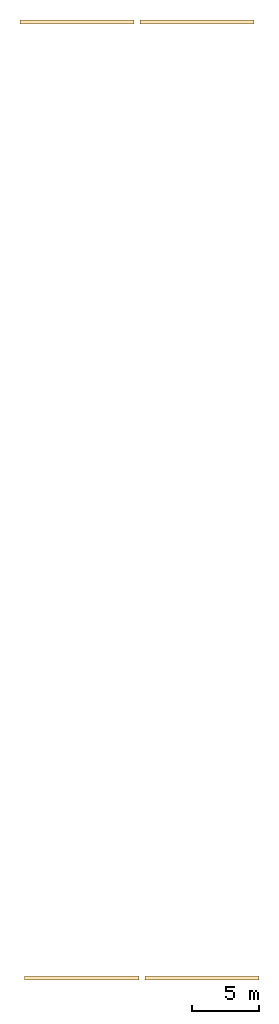
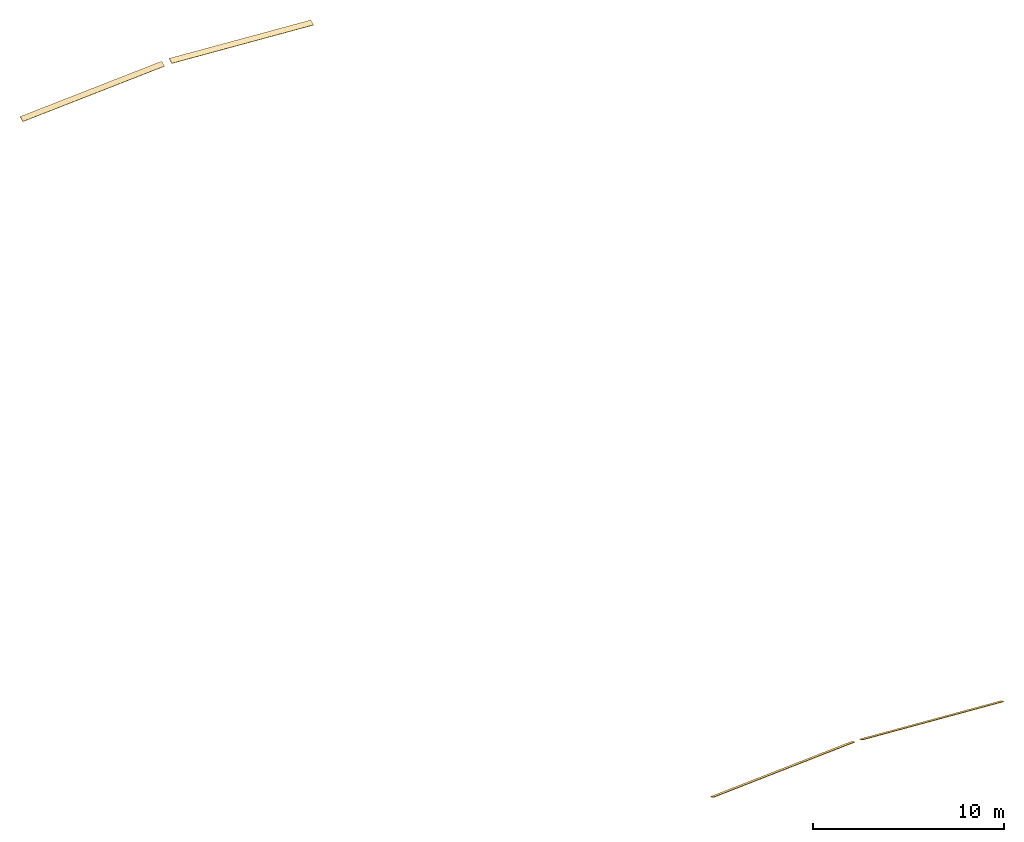
# One storey: 4 coverings.
"""IFC4 building model written with IfcOpenShell, lengths in metres."""

from ifc_helpers import new_model, si_unit, direction, frame, origin, place, context, subcontext, project, spatial, polyline, outline, extrude, material, layer, layer_set, type_object, element, save


model = new_model("IFC4")

# Units and contexts
model_context = context("Model", 3, precision=1e-05, world=origin(), true_north=direction((0.0, 1.0)))
body_context = subcontext(model_context, "Body", "Model", "MODEL_VIEW")
ifc_project = project(units=[si_unit("LENGTHUNIT", "METRE"), si_unit("AREAUNIT", "SQUARE_METRE"), si_unit("VOLUMEUNIT", "CUBIC_METRE"), si_unit("PLANEANGLEUNIT", "RADIAN"), si_unit("MASSUNIT", "GRAM", prefix="KILO")], contexts=[model_context])

# Site, building, storey
site_placement = place(None, origin())
site = spatial("IfcSite", under=ifc_project, at=site_placement, CompositionType="ELEMENT")
building_placement = place(site_placement, origin())
building = spatial("IfcBuilding", under=site, at=building_placement, Name="Opaline Strait Convention Centre", CompositionType="ELEMENT")
storey_placement = place(building_placement, frame((0.0, 0.0, 34.14404296875)))
storey = spatial("IfcBuildingStorey", under=building, at=storey_placement, Name="Roof Plenary Hall Second", CompositionType="ELEMENT", Elevation=34.14404296875)

# Coverings
ifc_material = material(Name="Standing seam aluminium edge flashing, white", Category="aluminium")
ifc_layer = layer(ifc_material, 0.030029296875)
ifc_layer_set = layer_set([ifc_layer], Name="Standing seam aluminium edge flashing, white")
covering_type = type_object("IfcCoveringType", Name="Shell edge flashing 30", PredefinedType="ROOFING", material=ifc_layer_set)
covering_1_placement = place(storey_placement, frame((31.89990234375, 112.550048828125, 0.1826171875), z_axis=(-0.057916085612, 0.405628903884, 0.91220113975), x_axis=(0.997990404478, -5.272141e-06, 0.063365231329)))
element("IfcCovering", 1, at=covering_1_placement, inside=storey, type_object=covering_type, Name="PEF1 edge flashing 23", PredefinedType="ROOFING", context=body_context, shape_type="SweptSolid", body=[
    extrude(outline(polyline([(0.0, 0.0), (8.567272028738135, 0.0), (8.55880834197102, 0.3283167662862725), (-0.00844821673993412, 0.32821793487794404), (0.0, 0.0)])), origin(), (0.0, 0.0, -1.0), 0.030029296875),
])
for number, where, z_axis, x_axis, name in (
    (2, (31.550048828125, 184.14990234375, 0.027099609375), (-0.057937783864, -0.405318474203, 0.912337737721), (0.997989651633, 0.0, 0.063377087611), "PEF1 edge flashing 24"),
    (3, (40.89990234375, 112.550048828125, 0.703369140625), (0.057937783864, 0.405318474203, 0.912337737721), (0.997989651633, 0.0, -0.063377087611), "PEF1 edge flashing 25"),
):
    element("IfcCovering", number, at=place(storey_placement, frame(where, z_axis=z_axis, x_axis=x_axis)), inside=storey, type_object=covering_type, Name=name, PredefinedType="ROOFING", context=body_context, shape_type="SweptSolid", body=[
        extrude(outline(polyline([(0.0, 0.0), (8.567272029461785, 2.7755575615628914e-17), (8.575720244753706, 0.32821795380421764), (0.008448215291919811, 0.32821795380421764), (0.0, 0.0)])), origin(), (0.0, 0.0, -1.0), 0.030029296875),
    ])
covering_2_placement = place(storey_placement, frame((40.550048828125, 184.14990234375, 0.592041015625), z_axis=(0.057916085612, -0.405628903884, 0.91220113975), x_axis=(0.997990700973, 5.27215e-06, -0.063360561419)))
element("IfcCovering", 4, at=covering_2_placement, inside=storey, type_object=covering_type, Name="PEF1 edge flashing 26", PredefinedType="ROOFING", context=body_context, shape_type="SweptSolid", body=[
    extrude(outline(polyline([(0.0, 0.0), (8.567256559281011, -2.7755575615628914e-17), (8.558812128845986, 0.3282180323142761), (-0.008459899322091244, 0.32831686390105946), (0.0, 0.0)])), origin(), (0.0, 0.0, -1.0), 0.030029296875),
])

save(model, "model.ifc")
